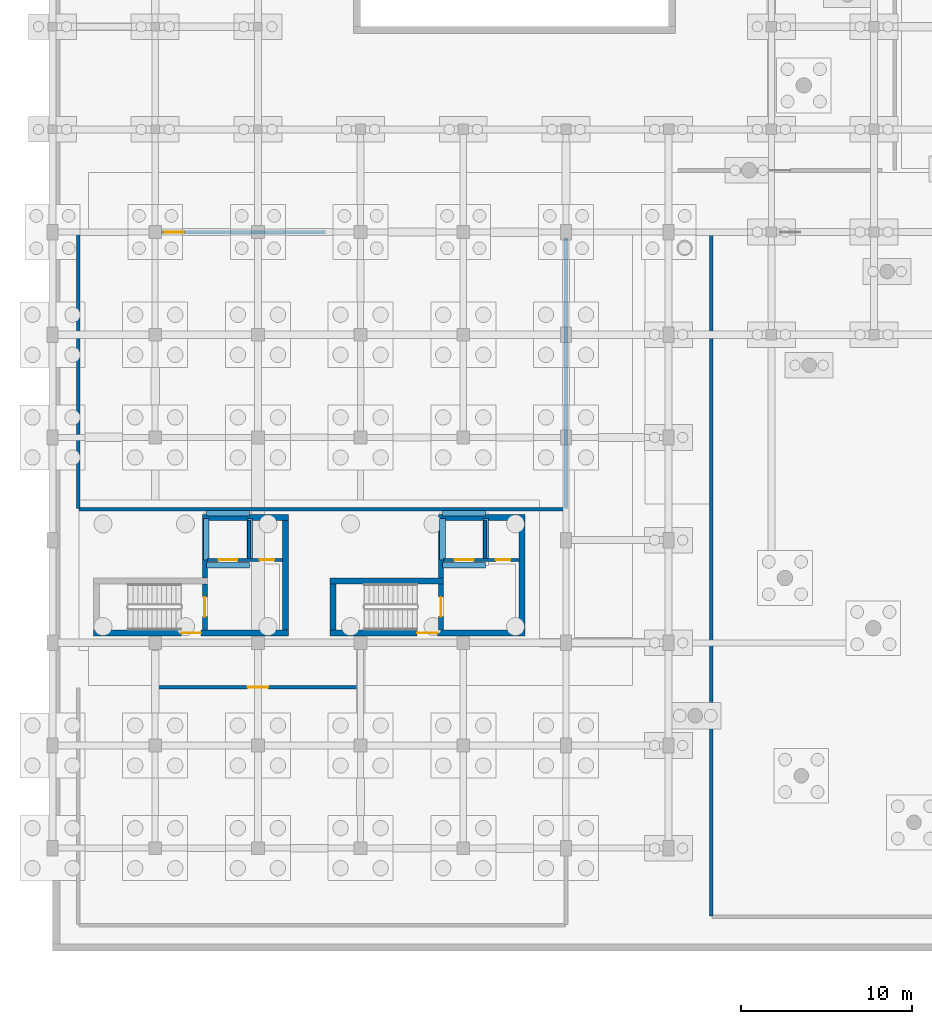
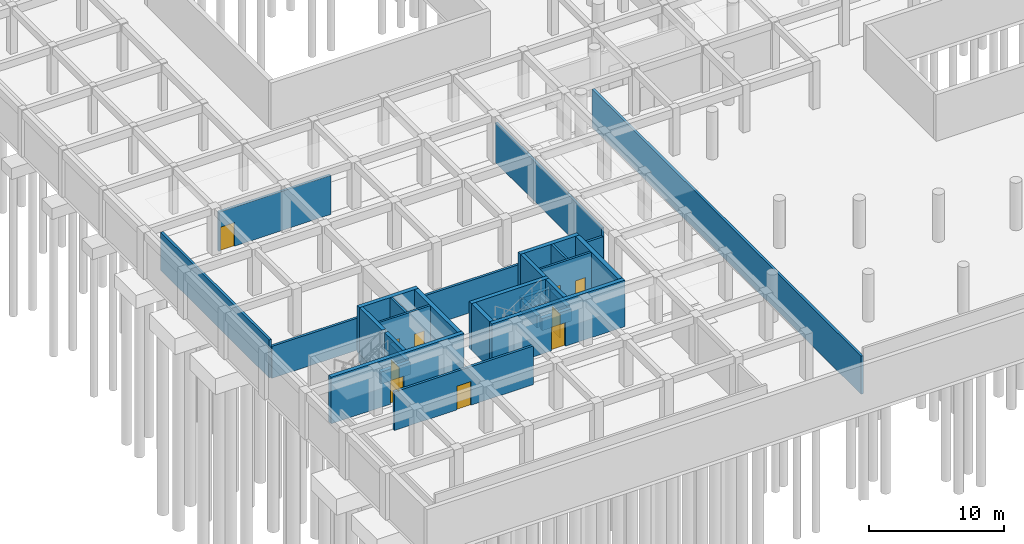
# One storey, part 23 of 41: 30 walls, 10 doors, 10 openings.
"""IFC4 building model written with IfcOpenShell, lengths in metres."""

from ifc_helpers import new_model, si_unit, direction, frame, frame_2d, origin, place, context, subcontext, project, spatial, rectangle, extrude, material, layer, layer_set, type_object, element, fill, save


model = new_model("IFC4")

# Units and contexts
model_context = context("Model", 3, precision=1e-05, world=origin(), true_north=direction((0.0, 1.0)))
body_context = subcontext(model_context, "Body", "Model", "MODEL_VIEW")
ifc_project = project(units=[si_unit("LENGTHUNIT", "METRE"), si_unit("AREAUNIT", "SQUARE_METRE"), si_unit("VOLUMEUNIT", "CUBIC_METRE"), si_unit("PLANEANGLEUNIT", "RADIAN"), si_unit("MASSUNIT", "GRAM", prefix="KILO"), si_unit("POWERUNIT", "WATT"), si_unit("THERMODYNAMICTEMPERATUREUNIT", "KELVIN")], contexts=[model_context])

# Site, building, storey
site_placement = place(None, origin())
site = spatial("IfcSite", under=ifc_project, at=site_placement, CompositionType="ELEMENT")
building_placement = place(site_placement, origin())
building = spatial("IfcBuilding", under=site, at=building_placement, Name="Ruvembo Vaulted Housing Court", CompositionType="ELEMENT")
storey_placement = place(building_placement, frame((0.0, 0.0, -4.5)))
storey = spatial("IfcBuildingStorey", under=building, at=storey_placement, Name="B1", CompositionType="ELEMENT", Elevation=-4.5)

# Wall, opening, door
ifc_material_1 = material(Name="Concrete C35/45", Category="concrete")
ifc_layer_1 = layer(ifc_material_1, 0.300048828125, Name="Concrete C35/45")
ifc_layer_set_1 = layer_set([ifc_layer_1], Name="Concrete C35/45")
wall_type_1 = type_object("IfcWallType", Name="WL-CORE-300", PredefinedType="SHEAR", material=ifc_layer_set_1)
wall_1_placement = place(storey_placement, frame((8.89990234375, 18.75, 0.0), z_axis=(0.0, 0.0, 1.0), x_axis=(0.0, 1.0, 0.0)))
wall_1 = element("IfcWall", 1, at=wall_1_placement, inside=storey, type_object=wall_type_1, Name="Core A1 B1 Stair-Lobby Shear Wall", PredefinedType="SHEAR", context=body_context, shape_type="SweptSolid", body=[
    extrude(rectangle(XDim=2.699951171875, YDim=0.300048828125, at=frame_2d((1.35009765625, 0.0))), origin(), (0.0, 0.0, 1.0), 4.215087890625),
])
opening_1_placement = place(wall_1_placement, frame((0.77490234375, 0.0, 0.0)))
opening_1 = element("IfcOpeningElement", 2, at=opening_1_placement, cuts=wall_1, Name="Opening SD1", PredefinedType="OPENING", context=body_context, shape_type="SweptSolid", body=[
    extrude(rectangle(XDim=1.14990234375, YDim=2.14990234375, at=frame_2d((0.574951171875, 1.074951171875))), frame((0.0, 0.159912109375, 0.0), z_axis=(0.0, -1.0, 0.0), x_axis=(1.0, 0.0, 0.0)), (0.0, 0.0, 1.0), 0.320068359375),
])
ifc_material_2 = material(Name="Galvanised Painted Steel", Category="steel")
door_type_1 = type_object("IfcDoorType", Name="DR-STAIR-1150x2150", OperationType="NOTDEFINED", PredefinedType="DOOR", material=ifc_material_2)
door_1_placement = place(opening_1_placement, origin())
door_1 = element("IfcDoor", 3, at=door_1_placement, inside=storey, type_object=door_type_1, Name="Stair ST-A1 B1 Fire Door", OperationType="SINGLE_SWING_RIGHT", OverallHeight=2.14990234375, OverallWidth=1.14990234375, PredefinedType="DOOR", context=body_context, shape_type="SweptSolid", body=[
    extrude(rectangle(XDim=1.14990234375, YDim=2.14990234375, at=frame_2d((0.574951171875, 1.074951171875))), frame((0.0, 0.02490234375, 0.0), z_axis=(0.0, -1.0, 0.0), x_axis=(1.0, 0.0, 0.0)), (0.0, 0.0, 1.0), 0.050048828125),
])
fill(opening_1, door_1)

# Wall
wall_2_placement = place(storey_placement, frame((8.89990234375, 21.800048828125, 0.0), z_axis=(0.0, 0.0, 1.0), x_axis=(0.0, 1.0, 0.0)))
element("IfcWall", 4, at=wall_2_placement, inside=storey, type_object=wall_type_1, Name="Core A1 B1 Upper West Shear Wall", PredefinedType="SHEAR", context=body_context, shape_type="SweptSolid", body=[
    extrude(rectangle(XDim=3.349853515625, YDim=0.300048828125, at=frame_2d((1.6748046875, 0.0))), origin(), (0.0, 0.0, 1.0), 4.215087890625),
])

# Wall, opening, door
wall_3_placement = place(storey_placement, frame((22.699951171875, 18.75, 0.0), z_axis=(0.0, 0.0, 1.0), x_axis=(0.0, 1.0, 0.0)))
wall_3 = element("IfcWall", 5, at=wall_3_placement, inside=storey, type_object=wall_type_1, Name="Core A2 B1 Stair-Lobby Shear Wall", PredefinedType="SHEAR", context=body_context, shape_type="SweptSolid", body=[
    extrude(rectangle(XDim=2.699951171875, YDim=0.300048828125, at=frame_2d((1.35009765625, 0.0))), origin(), (0.0, 0.0, 1.0), 4.215087890625),
])
opening_2_placement = place(wall_3_placement, frame((0.77490234375, 0.0, 0.0)))
opening_2 = element("IfcOpeningElement", 6, at=opening_2_placement, cuts=wall_3, Name="Opening SD1", PredefinedType="OPENING", context=body_context, shape_type="SweptSolid", body=[
    extrude(rectangle(XDim=1.14990234375, YDim=2.14990234375, at=frame_2d((0.574951171875, 1.074951171875))), frame((0.0, 0.159912109375, 0.0), z_axis=(0.0, -1.0, 0.0), x_axis=(1.0, 0.0, 0.0)), (0.0, 0.0, 1.0), 0.320068359375),
])
door_2_placement = place(opening_2_placement, origin())
door_2 = element("IfcDoor", 7, at=door_2_placement, inside=storey, type_object=door_type_1, Name="Stair ST-A2 B1 Fire Door", OperationType="SINGLE_SWING_RIGHT", OverallHeight=2.14990234375, OverallWidth=1.14990234375, PredefinedType="DOOR", context=body_context, shape_type="SweptSolid", body=[
    extrude(rectangle(XDim=1.14990234375, YDim=2.14990234375, at=frame_2d((0.574951171875, 1.074951171875))), frame((0.0, 0.02490234375, 0.0), z_axis=(0.0, -1.0, 0.0), x_axis=(1.0, 0.0, 0.0)), (0.0, 0.0, 1.0), 0.050048828125),
])
fill(opening_2, door_2)

# Wall
wall_4_placement = place(storey_placement, frame((22.699951171875, 21.800048828125, 0.0), z_axis=(0.0, 0.0, 1.0), x_axis=(0.0, 1.0, 0.0)))
element("IfcWall", 8, at=wall_4_placement, inside=storey, type_object=wall_type_1, Name="Core A2 B1 Upper West Shear Wall", PredefinedType="SHEAR", context=body_context, shape_type="SweptSolid", body=[
    extrude(rectangle(XDim=3.349853515625, YDim=0.300048828125, at=frame_2d((1.6748046875, 0.0))), origin(), (0.0, 0.0, 1.0), 4.215087890625),
])

# Wall, opening, door
ifc_layer_2 = layer(ifc_material_1, 0.35009765625, Name="Concrete C35/45")
ifc_layer_set_2 = layer_set([ifc_layer_2], Name="Concrete C35/45")
wall_type_2 = type_object("IfcWallType", Name="WL-CORE-350", PredefinedType="SHEAR", material=ifc_layer_set_2)
wall_5_placement = place(storey_placement, frame((2.39990234375, 18.574951171875, 0.0), z_axis=(0.0, 0.0, 1.0), x_axis=(1.0, 0.0, 0.0)))
wall_5 = element("IfcWall", 9, at=wall_5_placement, inside=storey, type_object=wall_type_2, Name="Core A1 B1 South Shear Wall", PredefinedType="SHEAR", context=body_context, shape_type="SweptSolid", body=[
    extrude(rectangle(XDim=11.400146484375, YDim=0.35009765625, at=frame_2d((5.7001953125, 0.0))), origin(), (0.0, 0.0, 1.0), 4.215087890625),
])
opening_3_placement = place(wall_5_placement, frame((5.125, 0.0, 0.0)))
opening_3 = element("IfcOpeningElement", 10, at=opening_3_placement, cuts=wall_5, Name="Opening LD0", PredefinedType="OPENING", context=body_context, shape_type="SweptSolid", body=[
    extrude(rectangle(XDim=1.14990234375, YDim=2.14990234375, at=frame_2d((0.574951171875, 1.074951171875))), frame((0.0, 0.18505859375, 0.0), z_axis=(0.0, -1.0, 0.0), x_axis=(1.0, 0.0, 0.0)), (0.0, 0.0, 1.0), 0.3701171875),
])
door_type_2 = type_object("IfcDoorType", Name="DR-LOB-1150x2150", OperationType="NOTDEFINED", PredefinedType="DOOR", material=ifc_material_2)
door_3_placement = place(opening_3_placement, origin())
door_3 = element("IfcDoor", 11, at=door_3_placement, inside=storey, type_object=door_type_2, Name="Core A1 B1 Lobby Fire Door", OperationType="SINGLE_SWING_LEFT", OverallHeight=2.14990234375, OverallWidth=1.14990234375, PredefinedType="DOOR", context=body_context, shape_type="SweptSolid", body=[
    extrude(rectangle(XDim=1.14990234375, YDim=2.14990234375, at=frame_2d((0.574951171875, 1.074951171875))), frame((0.0, 0.02490234375, 0.0), z_axis=(0.0, -1.0, 0.0), x_axis=(1.0, 0.0, 0.0)), (0.0, 0.0, 1.0), 0.050048828125),
])
fill(opening_3, door_3)

# Walls
wall_6_placement = place(storey_placement, frame((13.800048828125, 25.324951171875, 0.0), z_axis=(0.0, 0.0, 1.0), x_axis=(-1.0, 0.0, 0.0)))
element("IfcWall", 12, at=wall_6_placement, inside=storey, type_object=wall_type_2, Name="Core A1 B1 North Shear Wall", PredefinedType="SHEAR", context=body_context, shape_type="SweptSolid", body=[
    extrude(rectangle(XDim=5.050048828125, YDim=0.35009765625, at=frame_2d((2.52490234375, 0.0))), origin(), (0.0, 0.0, 1.0), 4.215087890625),
])
wall_7_placement = place(storey_placement, frame((13.625, 18.75, 0.0), z_axis=(0.0, 0.0, 1.0), x_axis=(0.0, 1.0, 0.0)))
element("IfcWall", 13, at=wall_7_placement, inside=storey, type_object=wall_type_2, Name="Core A1 B1 East Shear Wall", PredefinedType="SHEAR", context=body_context, shape_type="SweptSolid", body=[
    extrude(rectangle(XDim=6.39990234375, YDim=0.35009765625, at=frame_2d((3.199951171875, 0.0))), origin(), (0.0, 0.0, 1.0), 4.215087890625),
])

# Wall, opening, door
wall_8_placement = place(storey_placement, frame((16.199951171875, 18.574951171875, 0.0), z_axis=(0.0, 0.0, 1.0), x_axis=(1.0, 0.0, 0.0)))
wall_8 = element("IfcWall", 14, at=wall_8_placement, inside=storey, type_object=wall_type_2, Name="Core A2 B1 South Shear Wall", PredefinedType="SHEAR", context=body_context, shape_type="SweptSolid", body=[
    extrude(rectangle(XDim=11.400146484375, YDim=0.35009765625, at=frame_2d((5.7001953125, 0.0))), origin(), (0.0, 0.0, 1.0), 4.215087890625),
])
opening_4_placement = place(wall_8_placement, frame((5.10009765625, 0.0, 0.0)))
opening_4 = element("IfcOpeningElement", 15, at=opening_4_placement, cuts=wall_8, Name="Opening LD3", PredefinedType="OPENING", context=body_context, shape_type="SweptSolid", body=[
    extrude(rectangle(XDim=1.199951171875, YDim=2.14990234375, at=frame_2d((0.60009765625, 1.074951171875))), frame((0.0, 0.18505859375, 0.0), z_axis=(0.0, -1.0, 0.0), x_axis=(1.0, 0.0, 0.0)), (0.0, 0.0, 1.0), 0.3701171875),
])
door_type_3 = type_object("IfcDoorType", Name="DR-LOB-1200x2150", OperationType="NOTDEFINED", PredefinedType="DOOR", material=ifc_material_2)
door_4_placement = place(opening_4_placement, origin())
door_4 = element("IfcDoor", 16, at=door_4_placement, inside=storey, type_object=door_type_3, Name="Core A2 B1 Lobby Fire Door", OperationType="SINGLE_SWING_LEFT", OverallHeight=2.14990234375, OverallWidth=1.199951171875, PredefinedType="DOOR", context=body_context, shape_type="SweptSolid", body=[
    extrude(rectangle(XDim=1.199951171875, YDim=2.14990234375, at=frame_2d((0.60009765625, 1.074951171875))), frame((0.0, 0.02490234375, 0.0), z_axis=(0.0, -1.0, 0.0), x_axis=(1.0, 0.0, 0.0)), (0.0, 0.0, 1.0), 0.050048828125),
])
fill(opening_4, door_4)

# Walls
wall_9_placement = place(storey_placement, frame((22.85009765625, 21.625, 0.0), z_axis=(0.0, 0.0, 1.0), x_axis=(-1.0, 0.0, 0.0)))
element("IfcWall", 17, at=wall_9_placement, inside=storey, type_object=wall_type_2, Name="Core A2 B1 Stair North Shear Wall", PredefinedType="SHEAR", context=body_context, shape_type="SweptSolid", body=[
    extrude(rectangle(XDim=6.650146484375, YDim=0.35009765625, at=frame_2d((3.3251953125, 0.0))), origin(), (0.0, 0.0, 1.0), 4.215087890625),
])
wall_10_placement = place(storey_placement, frame((16.375, 21.449951171875, 0.0), z_axis=(0.0, 0.0, 1.0), x_axis=(0.0, -1.0, 0.0)))
element("IfcWall", 18, at=wall_10_placement, inside=storey, type_object=wall_type_2, Name="Core A2 B1 Stair West Shear Wall", PredefinedType="SHEAR", context=body_context, shape_type="SweptSolid", body=[
    extrude(rectangle(XDim=2.699951171875, YDim=0.35009765625, at=frame_2d((1.35009765625, 0.0))), origin(), (0.0, 0.0, 1.0), 4.215087890625),
])
wall_11_placement = place(storey_placement, frame((27.60009765625, 25.324951171875, 0.0), z_axis=(0.0, 0.0, 1.0), x_axis=(-1.0, 0.0, 0.0)))
element("IfcWall", 19, at=wall_11_placement, inside=storey, type_object=wall_type_2, Name="Core A2 B1 North Shear Wall", PredefinedType="SHEAR", context=body_context, shape_type="SweptSolid", body=[
    extrude(rectangle(XDim=5.050048828125, YDim=0.35009765625, at=frame_2d((2.52490234375, 0.0))), origin(), (0.0, 0.0, 1.0), 4.215087890625),
])
wall_12_placement = place(storey_placement, frame((27.425048828125, 18.75, 0.0), z_axis=(0.0, 0.0, 1.0), x_axis=(0.0, 1.0, 0.0)))
element("IfcWall", 20, at=wall_12_placement, inside=storey, type_object=wall_type_2, Name="Core A2 B1 East Shear Wall", PredefinedType="SHEAR", context=body_context, shape_type="SweptSolid", body=[
    extrude(rectangle(XDim=6.39990234375, YDim=0.35009765625, at=frame_2d((3.199951171875, 0.0))), origin(), (0.0, 0.0, 1.0), 4.215087890625),
])

# Wall, opening, door
ifc_material_3 = material(Name="Concrete Blockwork 210", Category="masonry")
ifc_layer_3 = layer(ifc_material_3, 0.2099609375, Name="Concrete Blockwork 210")
ifc_layer_set_3 = layer_set([ifc_layer_3], Name="Concrete Blockwork 210")
wall_type_3 = type_object("IfcWallType", Name="WL-CORR-210", PredefinedType="SOLIDWALL", material=ifc_layer_set_3)
wall_13_placement = place(storey_placement, frame((6.0400390625, 15.39990234375, 0.0), z_axis=(0.0, 0.0, 1.0), x_axis=(1.0, 0.0, 0.0)))
wall_13 = element("IfcWall", 21, at=wall_13_placement, inside=storey, type_object=wall_type_3, Name="B1 Bicycle Storage West WL-INT-B1-00001", PredefinedType="SOLIDWALL", context=body_context, shape_type="SweptSolid", body=[
    extrude(rectangle(XDim=11.919921875, YDim=0.2099609375, at=frame_2d((5.9599609375, 0.0))), origin(), (0.0, 0.0, 1.0), 3.4970703125),
])
opening_5_placement = place(wall_13_placement, frame((5.360107421875, 0.0, 0.0)))
opening_5 = element("IfcOpeningElement", 22, at=opening_5_placement, cuts=wall_13, Name="Opening PD1", PredefinedType="OPENING", context=body_context, shape_type="SweptSolid", body=[
    extrude(rectangle(XDim=1.199951171875, YDim=2.14990234375, at=frame_2d((0.60009765625, 1.074951171875))), frame((0.0, 0.114990234375, 0.0), z_axis=(0.0, -1.0, 0.0), x_axis=(1.0, 0.0, 0.0)), (0.0, 0.0, 1.0), 0.22998046875),
])
door_type_4 = type_object("IfcDoorType", Name="DR-PLANT-1200x2150", OperationType="NOTDEFINED", PredefinedType="DOOR", material=ifc_material_2)
door_5_placement = place(opening_5_placement, origin())
door_5 = element("IfcDoor", 23, at=door_5_placement, inside=storey, type_object=door_type_4, Name="B1 Bicycle Storage West Door DR-INT-B1-00001", OperationType="SINGLE_SWING_LEFT", OverallHeight=2.14990234375, OverallWidth=1.199951171875, PredefinedType="DOOR", context=body_context, shape_type="SweptSolid", body=[
    extrude(rectangle(XDim=1.199951171875, YDim=2.14990234375, at=frame_2d((0.60009765625, 1.074951171875))), frame((0.0, 0.02490234375, 0.0), z_axis=(0.0, -1.0, 0.0), x_axis=(1.0, 0.0, 0.0)), (0.0, 0.0, 1.0), 0.050048828125),
])
fill(opening_5, door_5)

wall_14_placement = place(storey_placement, frame((6.360107421875, 42.0, 0.0), z_axis=(0.0, 0.0, 1.0), x_axis=(1.0, 0.0, 0.0)))
wall_14 = element("IfcWall", 24, at=wall_14_placement, inside=storey, type_object=wall_type_3, Name="B1 Rainwater Harvesting Cisterns West WL-INT-B1-00005", PredefinedType="SOLIDWALL", context=body_context, shape_type="SweptSolid", body=[
    extrude(rectangle(XDim=9.599853515625, YDim=0.2099609375, at=frame_2d((4.7998046875, 0.0))), origin(), (0.0, 0.0, 1.0), 3.547119140625),
])
opening_6_placement = place(wall_14_placement, frame((0.1298828125, 0.0, 0.0)))
opening_6 = element("IfcOpeningElement", 25, at=opening_6_placement, cuts=wall_14, Name="Opening PD1", PredefinedType="OPENING", context=body_context, shape_type="SweptSolid", body=[
    extrude(rectangle(XDim=1.199951171875, YDim=2.14990234375, at=frame_2d((0.60009765625, 1.074951171875))), frame((0.0, 0.114990234375, 0.0), z_axis=(0.0, -1.0, 0.0), x_axis=(1.0, 0.0, 0.0)), (0.0, 0.0, 1.0), 0.22998046875),
])
door_6_placement = place(opening_6_placement, origin())
door_6 = element("IfcDoor", 26, at=door_6_placement, inside=storey, type_object=door_type_4, Name="B1 Rainwater Harvesting Cisterns West Door DR-INT-B1-00002", OperationType="SINGLE_SWING_RIGHT", OverallHeight=2.14990234375, OverallWidth=1.199951171875, PredefinedType="DOOR", context=body_context, shape_type="SweptSolid", body=[
    extrude(rectangle(XDim=1.199951171875, YDim=2.14990234375, at=frame_2d((0.60009765625, 1.074951171875))), frame((0.0, 0.02490234375, 0.0), z_axis=(0.0, -1.0, 0.0), x_axis=(1.0, 0.0, 0.0)), (0.0, 0.0, 1.0), 0.050048828125),
])
fill(opening_6, door_6)

# Walls
wall_15_placement = place(storey_placement, frame((1.5400390625, 25.800048828125, 0.0), z_axis=(0.0, 0.0, 1.0), x_axis=(1.0, 0.0, 0.0)))
element("IfcWall", 27, at=wall_15_placement, inside=storey, type_object=wall_type_3, Name="B1 Rainwater Harvesting Cisterns West WL-INT-B1-00006", PredefinedType="SOLIDWALL", context=body_context, shape_type="SweptSolid", body=[
    extrude(rectangle(XDim=28.419921875, YDim=0.2099609375, at=frame_2d((14.2099609375, 0.0))), origin(), (0.0, 0.0, 1.0), 2.89697265625),
])
wall_16_placement = place(storey_placement, frame((30.0, 25.840087890625, 0.0), z_axis=(0.0, 0.0, 1.0), x_axis=(0.0, 1.0, 0.0)))
element("IfcWall", 28, at=wall_16_placement, inside=storey, type_object=wall_type_3, Name="B1 Rainwater Harvesting Cisterns West WL-INT-B1-00007", PredefinedType="SOLIDWALL", context=body_context, shape_type="SweptSolid", body=[
    extrude(rectangle(XDim=15.7998046875, YDim=0.2099609375, at=frame_2d((7.89990234375, 0.0))), origin(), (0.0, 0.0, 1.0), 3.596923828125),
])
wall_17_placement = place(storey_placement, frame((1.5, 41.9599609375, 0.0), z_axis=(0.0, 0.0, 1.0), x_axis=(0.0, -1.0, 0.0)))
element("IfcWall", 29, at=wall_17_placement, inside=storey, type_object=wall_type_3, Name="B1 Rainwater Harvesting Cisterns West WL-INT-B1-00008", PredefinedType="SOLIDWALL", context=body_context, shape_type="SweptSolid", body=[
    extrude(rectangle(XDim=16.119873046875, YDim=0.2099609375, at=frame_2d((8.06005859375, 0.0))), origin(), (0.0, 0.0, 1.0), 3.447021484375),
])
wall_18_placement = place(storey_placement, frame((38.5, 41.9599609375, 0.0), z_axis=(0.0, 0.0, 1.0), x_axis=(0.0, -1.0, 0.0)))
element("IfcWall", 30, at=wall_18_placement, inside=storey, type_object=wall_type_3, Name="B1 Central Rainwater & Irrigation Retention Vault WL-INT-B1-00051", PredefinedType="SOLIDWALL", context=body_context, shape_type="SweptSolid", body=[
    extrude(rectangle(XDim=39.919921875, YDim=0.2099609375, at=frame_2d((19.9599609375, 0.0))), origin(), (0.0, 0.0, 1.0), 3.447021484375),
])
ifc_layer_4 = layer(ifc_material_1, 0.324951171875, Name="Concrete C35/45")
ifc_layer_set_4 = layer_set([ifc_layer_4], Name="Concrete C35/45")
wall_type_4 = type_object("IfcWallType", Name="WL-PIT-325", PredefinedType="SHEAR", material=ifc_layer_set_4)
wall_19_placement = place(storey_placement, frame((8.987548828125, 22.52490234375, -1.10009765625), z_axis=(0.0, 0.0, 1.0), x_axis=(1.0, 0.0, 0.0)))
element("IfcWall", 31, at=wall_19_placement, inside=storey, type_object=wall_type_4, Name="Lift FL-A1 Pit Wall 1", PredefinedType="SHEAR", context=body_context, shape_type="SweptSolid", body=[
    extrude(rectangle(XDim=2.52490234375, YDim=0.324951171875, at=frame_2d((1.262451171875, 0.0))), origin(), (0.0, 0.0, 1.0), 1.10009765625),
])
wall_20_placement = place(storey_placement, frame((11.512451171875, 22.85009765625, -1.10009765625), z_axis=(0.0, 0.0, 1.0), x_axis=(0.0, 1.0, 0.0)))
element("IfcWall", 32, at=wall_20_placement, inside=storey, type_object=wall_type_4, Name="Lift FL-A1 Pit Wall 2", PredefinedType="SHEAR", context=body_context, shape_type="SweptSolid", body=[
    extrude(rectangle(XDim=2.39990234375, YDim=0.324951171875, at=frame_2d((1.199951171875, 0.0))), origin(), (0.0, 0.0, 1.0), 1.10009765625),
])
wall_21_placement = place(storey_placement, frame((11.512451171875, 25.574951171875, -1.10009765625), z_axis=(0.0, 0.0, 1.0), x_axis=(-1.0, 0.0, 0.0)))
element("IfcWall", 33, at=wall_21_placement, inside=storey, type_object=wall_type_4, Name="Lift FL-A1 Pit Wall 3", PredefinedType="SHEAR", context=body_context, shape_type="SweptSolid", body=[
    extrude(rectangle(XDim=2.52490234375, YDim=0.324951171875, at=frame_2d((1.262451171875, 0.0))), origin(), (0.0, 0.0, 1.0), 1.10009765625),
])
wall_22_placement = place(storey_placement, frame((8.987548828125, 25.25, -1.10009765625), z_axis=(0.0, 0.0, 1.0), x_axis=(0.0, -1.0, 0.0)))
element("IfcWall", 34, at=wall_22_placement, inside=storey, type_object=wall_type_4, Name="Lift FL-A1 Pit Wall 4", PredefinedType="SHEAR", context=body_context, shape_type="SweptSolid", body=[
    extrude(rectangle(XDim=2.39990234375, YDim=0.324951171875, at=frame_2d((1.199951171875, 0.0))), origin(), (0.0, 0.0, 1.0), 1.10009765625),
])
wall_23_placement = place(storey_placement, frame((22.78759765625, 22.52490234375, -1.10009765625), z_axis=(0.0, 0.0, 1.0), x_axis=(1.0, 0.0, 0.0)))
element("IfcWall", 35, at=wall_23_placement, inside=storey, type_object=wall_type_4, Name="Lift FL-A2 Pit Wall 1", PredefinedType="SHEAR", context=body_context, shape_type="SweptSolid", body=[
    extrude(rectangle(XDim=2.52490234375, YDim=0.324951171875, at=frame_2d((1.262451171875, 0.0))), origin(), (0.0, 0.0, 1.0), 1.10009765625),
])
wall_24_placement = place(storey_placement, frame((25.3125, 22.85009765625, -1.10009765625), z_axis=(0.0, 0.0, 1.0), x_axis=(0.0, 1.0, 0.0)))
element("IfcWall", 36, at=wall_24_placement, inside=storey, type_object=wall_type_4, Name="Lift FL-A2 Pit Wall 2", PredefinedType="SHEAR", context=body_context, shape_type="SweptSolid", body=[
    extrude(rectangle(XDim=2.39990234375, YDim=0.324951171875, at=frame_2d((1.199951171875, 0.0))), origin(), (0.0, 0.0, 1.0), 1.10009765625),
])
wall_25_placement = place(storey_placement, frame((25.3125, 25.574951171875, -1.10009765625), z_axis=(0.0, 0.0, 1.0), x_axis=(-1.0, 0.0, 0.0)))
element("IfcWall", 37, at=wall_25_placement, inside=storey, type_object=wall_type_4, Name="Lift FL-A2 Pit Wall 3", PredefinedType="SHEAR", context=body_context, shape_type="SweptSolid", body=[
    extrude(rectangle(XDim=2.52490234375, YDim=0.324951171875, at=frame_2d((1.262451171875, 0.0))), origin(), (0.0, 0.0, 1.0), 1.10009765625),
])
wall_26_placement = place(storey_placement, frame((22.78759765625, 25.25, -1.10009765625), z_axis=(0.0, 0.0, 1.0), x_axis=(0.0, -1.0, 0.0)))
element("IfcWall", 38, at=wall_26_placement, inside=storey, type_object=wall_type_4, Name="Lift FL-A2 Pit Wall 4", PredefinedType="SHEAR", context=body_context, shape_type="SweptSolid", body=[
    extrude(rectangle(XDim=2.39990234375, YDim=0.324951171875, at=frame_2d((1.199951171875, 0.0))), origin(), (0.0, 0.0, 1.0), 1.10009765625),
])

# Wall, openings, doors
ifc_material_4 = material(Name="Fire-Rated Masonry Shaft 180", Category="masonry")
ifc_layer_5 = layer(ifc_material_4, 0.179931640625, Name="Fire-Rated Masonry Shaft 180")
ifc_layer_set_5 = layer_set([ifc_layer_5], Name="Fire-Rated Masonry Shaft 180")
wall_type_5 = type_object("IfcWallType", Name="WL-SHAFT-180", PredefinedType="SOLIDWALL", material=ifc_layer_set_5)
wall_27_placement = place(storey_placement, frame((9.050048828125, 22.85009765625, 0.0), z_axis=(0.0, 0.0, 1.0), x_axis=(1.0, 0.0, 0.0)))
wall_27 = element("IfcWall", 39, at=wall_27_placement, inside=storey, type_object=wall_type_5, Name="Core A1 B1 Lift and Riser Front Wall", PredefinedType="SOLIDWALL", context=body_context, shape_type="SweptSolid", body=[
    extrude(rectangle(XDim=4.39990234375, YDim=0.179931640625, at=frame_2d((2.199951171875, 0.0))), origin(), (0.0, 0.0, 1.0), 4.215087890625),
])
opening_7_placement = place(wall_27_placement, frame((0.64990234375, 0.0, 0.0)))
opening_7 = element("IfcOpeningElement", 40, at=opening_7_placement, cuts=wall_27, Name="Opening LD-FL-A1-B1", PredefinedType="OPENING", context=body_context, shape_type="SweptSolid", body=[
    extrude(rectangle(XDim=1.10009765625, YDim=2.14990234375, at=frame_2d((0.550048828125, 1.074951171875))), frame((0.0, 0.099853515625, 0.0), z_axis=(0.0, -1.0, 0.0), x_axis=(1.0, 0.0, 0.0)), (0.0, 0.0, 1.0), 0.199951171875),
])
opening_8_placement = place(wall_27_placement, frame((3.050048828125, 0.0, 0.0)))
opening_8 = element("IfcOpeningElement", 41, at=opening_8_placement, cuts=wall_27, Name="Opening RD1", PredefinedType="OPENING", context=body_context, shape_type="SweptSolid", body=[
    extrude(rectangle(XDim=0.85009765625, YDim=2.10009765625, at=frame_2d((0.425048828125, 1.050048828125))), frame((0.0, 0.099853515625, 0.0), z_axis=(0.0, -1.0, 0.0), x_axis=(1.0, 0.0, 0.0)), (0.0, 0.0, 1.0), 0.199951171875),
])
ifc_material_5 = material(Name="Brushed Stainless Steel 304", Category="steel")
door_type_5 = type_object("IfcDoorType", Name="DR-LIFT-1100x2150", OperationType="NOTDEFINED", PredefinedType="DOOR", material=ifc_material_5)
door_7_placement = place(opening_7_placement, origin())
door_7 = element("IfcDoor", 42, at=door_7_placement, inside=storey, type_object=door_type_5, Name="Lift FL-A1 B1 Sliding Landing Door", OperationType="SLIDING_TO_LEFT", OverallHeight=2.14990234375, OverallWidth=1.10009765625, PredefinedType="DOOR", context=body_context, shape_type="SweptSolid", body=[
    extrude(rectangle(XDim=1.10009765625, YDim=2.14990234375, at=frame_2d((0.550048828125, 1.074951171875))), frame((0.0, 0.02490234375, 0.0), z_axis=(0.0, -1.0, 0.0), x_axis=(1.0, 0.0, 0.0)), (0.0, 0.0, 1.0), 0.050048828125),
])
fill(opening_7, door_7)
door_type_6 = type_object("IfcDoorType", Name="DR-RISER-0850x2100", OperationType="NOTDEFINED", PredefinedType="DOOR", material=ifc_material_2)
door_8_placement = place(opening_8_placement, frame((0.85009765625, 0.0, 0.0), z_axis=(0.0, 0.0, 1.0), x_axis=(-1.0, 0.0, 0.0)))
door_8 = element("IfcDoor", 43, at=door_8_placement, inside=storey, type_object=door_type_6, Name="Core A1 B1 Service Riser Door", OperationType="SINGLE_SWING_LEFT", OverallHeight=2.10009765625, OverallWidth=0.85009765625, PredefinedType="DOOR", context=body_context, shape_type="SweptSolid", body=[
    extrude(rectangle(XDim=0.85009765625, YDim=2.10009765625, at=frame_2d((0.425048828125, 1.050048828125))), frame((0.0, 0.02490234375, 0.0), z_axis=(0.0, -1.0, 0.0), x_axis=(1.0, 0.0, 0.0)), (0.0, 0.0, 1.0), 0.050048828125),
])
fill(opening_8, door_8)

# Wall
wall_28_placement = place(storey_placement, frame((11.469970703125, 22.93994140625, 0.0), z_axis=(0.0, 0.0, 1.0), x_axis=(0.0, 1.0, 0.0)))
element("IfcWall", 44, at=wall_28_placement, inside=storey, type_object=wall_type_5, Name="Core A1 B1 Shaft-Riser Divider Wall", PredefinedType="SOLIDWALL", context=body_context, shape_type="SweptSolid", body=[
    extrude(rectangle(XDim=2.2099609375, YDim=0.179931640625, at=frame_2d((1.10498046875, 0.0))), origin(), (0.0, 0.0, 1.0), 4.215087890625),
])

# Wall, openings, doors
wall_29_placement = place(storey_placement, frame((22.85009765625, 22.85009765625, 0.0), z_axis=(0.0, 0.0, 1.0), x_axis=(1.0, 0.0, 0.0)))
wall_29 = element("IfcWall", 45, at=wall_29_placement, inside=storey, type_object=wall_type_5, Name="Core A2 B1 Lift and Riser Front Wall", PredefinedType="SOLIDWALL", context=body_context, shape_type="SweptSolid", body=[
    extrude(rectangle(XDim=4.39990234375, YDim=0.179931640625, at=frame_2d((2.199951171875, 0.0))), origin(), (0.0, 0.0, 1.0), 4.215087890625),
])
opening_9_placement = place(wall_29_placement, frame((0.64990234375, 0.0, 0.0)))
opening_9 = element("IfcOpeningElement", 46, at=opening_9_placement, cuts=wall_29, Name="Opening LD-FL-A2-B1", PredefinedType="OPENING", context=body_context, shape_type="SweptSolid", body=[
    extrude(rectangle(XDim=1.10009765625, YDim=2.14990234375, at=frame_2d((0.550048828125, 1.074951171875))), frame((0.0, 0.099853515625, 0.0), z_axis=(0.0, -1.0, 0.0), x_axis=(1.0, 0.0, 0.0)), (0.0, 0.0, 1.0), 0.199951171875),
])
opening_10_placement = place(wall_29_placement, frame((3.050048828125, 0.0, 0.0)))
opening_10 = element("IfcOpeningElement", 47, at=opening_10_placement, cuts=wall_29, Name="Opening RD1", PredefinedType="OPENING", context=body_context, shape_type="SweptSolid", body=[
    extrude(rectangle(XDim=0.85009765625, YDim=2.10009765625, at=frame_2d((0.425048828125, 1.050048828125))), frame((0.0, 0.099853515625, 0.0), z_axis=(0.0, -1.0, 0.0), x_axis=(1.0, 0.0, 0.0)), (0.0, 0.0, 1.0), 0.199951171875),
])
door_9_placement = place(opening_9_placement, origin())
door_9 = element("IfcDoor", 48, at=door_9_placement, inside=storey, type_object=door_type_5, Name="Lift FL-A2 B1 Sliding Landing Door", OperationType="SLIDING_TO_LEFT", OverallHeight=2.14990234375, OverallWidth=1.10009765625, PredefinedType="DOOR", context=body_context, shape_type="SweptSolid", body=[
    extrude(rectangle(XDim=1.10009765625, YDim=2.14990234375, at=frame_2d((0.550048828125, 1.074951171875))), frame((0.0, 0.02490234375, 0.0), z_axis=(0.0, -1.0, 0.0), x_axis=(1.0, 0.0, 0.0)), (0.0, 0.0, 1.0), 0.050048828125),
])
fill(opening_9, door_9)
door_10_placement = place(opening_10_placement, frame((0.85009765625, 0.0, 0.0), z_axis=(0.0, 0.0, 1.0), x_axis=(-1.0, 0.0, 0.0)))
door_10 = element("IfcDoor", 49, at=door_10_placement, inside=storey, type_object=door_type_6, Name="Core A2 B1 Service Riser Door", OperationType="SINGLE_SWING_LEFT", OverallHeight=2.10009765625, OverallWidth=0.85009765625, PredefinedType="DOOR", context=body_context, shape_type="SweptSolid", body=[
    extrude(rectangle(XDim=0.85009765625, YDim=2.10009765625, at=frame_2d((0.425048828125, 1.050048828125))), frame((0.0, 0.02490234375, 0.0), z_axis=(0.0, -1.0, 0.0), x_axis=(1.0, 0.0, 0.0)), (0.0, 0.0, 1.0), 0.050048828125),
])
fill(opening_10, door_10)

# Wall
wall_30_placement = place(storey_placement, frame((25.27001953125, 22.93994140625, 0.0), z_axis=(0.0, 0.0, 1.0), x_axis=(0.0, 1.0, 0.0)))
element("IfcWall", 50, at=wall_30_placement, inside=storey, type_object=wall_type_5, Name="Core A2 B1 Shaft-Riser Divider Wall", PredefinedType="SOLIDWALL", context=body_context, shape_type="SweptSolid", body=[
    extrude(rectangle(XDim=2.2099609375, YDim=0.179931640625, at=frame_2d((1.10498046875, 0.0))), origin(), (0.0, 0.0, 1.0), 4.215087890625),
])

save(model, "model.ifc")
